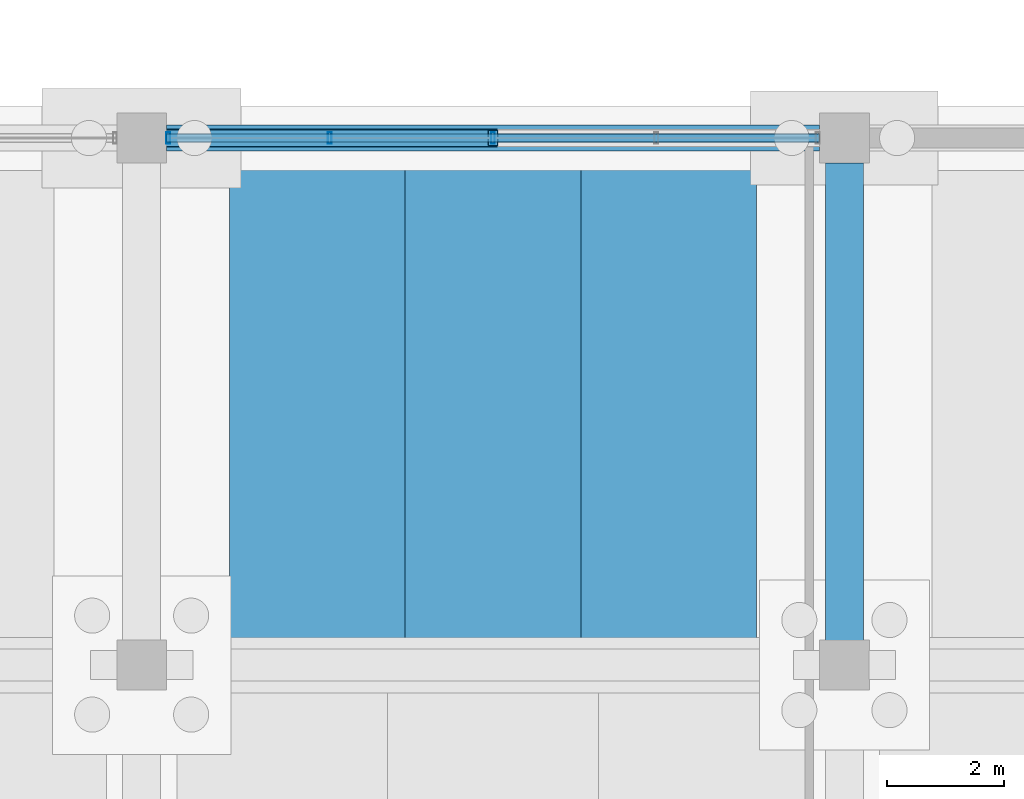
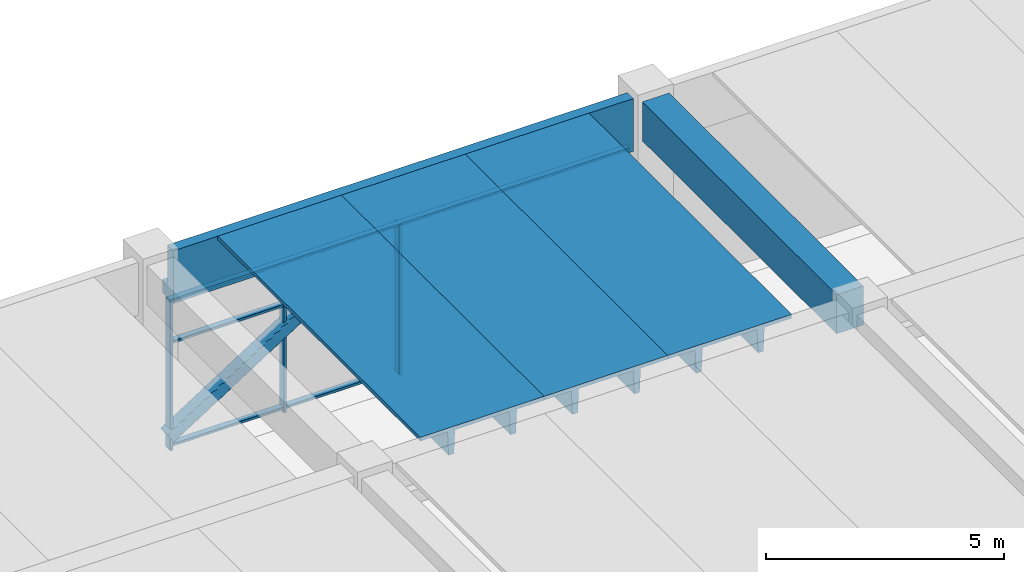
# One storey, part 20 of 59: 7 members, 5 beams, 1 element without a shape of its own.
"""IFC4 building model written with IfcOpenShell, lengths in metres."""

from ifc_helpers import new_model, si_unit, direction, frame, origin, origin_2d, place, context, subcontext, project, spatial, polyline, rectangle, hollow_rectangle, outline, extrude, material, material_profile, profile_set, type_object, element, aggregate, save


model = new_model("IFC4")

# Units and contexts
model_context = context("Model", 3, precision=1e-05, world=origin(), true_north=direction((0.0, 1.0)))
body_context = subcontext(model_context, "Body", "Model", "MODEL_VIEW")
ifc_project = project(units=[si_unit("LENGTHUNIT", "METRE"), si_unit("AREAUNIT", "SQUARE_METRE"), si_unit("VOLUMEUNIT", "CUBIC_METRE"), si_unit("PLANEANGLEUNIT", "RADIAN"), si_unit("MASSUNIT", "GRAM", prefix="KILO")], contexts=[model_context])

# Site, building, storey
site_placement = place(None, origin())
site = spatial("IfcSite", under=ifc_project, at=site_placement, CompositionType="ELEMENT")
building_placement = place(site_placement, origin())
building = spatial("IfcBuilding", under=site, at=building_placement, Name="Girod Span Mobility Hub", CompositionType="ELEMENT")
storey_placement = place(building_placement, origin())
storey = spatial("IfcBuildingStorey", under=building, at=storey_placement, Name="L00", CompositionType="ELEMENT", Elevation=0.0)

# Beams
ifc_material_1 = material(Name="Concrete C50/60", Category="concrete")
ifc_material_profile_1 = material_profile(ifc_material_1, outline(polyline([(-1.5, 0.35009765625), (-1.5, 0.2548828125), (-0.840087890625, 0.2548828125), (-0.81494140625, -0.35009765625), (-0.68505859375, -0.35009765625), (-0.659912109375, 0.2548828125), (0.659912109375, 0.2548828125), (0.68505859375, -0.35009765625), (0.81494140625, -0.35009765625), (0.840087890625, 0.2548828125), (1.5, 0.2548828125), (1.5, 0.35009765625), (-1.5, 0.35009765625)])), Name="DT-3000X700")
ifc_profile_set_1 = profile_set([ifc_material_profile_1], Name="Concrete C50/60")
beam_type_1 = type_object("IfcBeamType", Name="BM-DT-3000X700", PredefinedType="JOIST", material=ifc_profile_set_1)
for number, where, z_axis, x_axis, name in (
    (1, (111.0, 105.27197265625, 4.85009765625), (0.0, 1.0, 0.0), (-1.0, 0.0, 0.0), "Double-Tee Deck 10/H-1 L00"),
    (2, (114.0, 105.27197265625, 4.85009765625), (0.0, 1.0, 0.0), (-1.0, 0.0, 0.0), "Double-Tee Deck 10/H-2 L00"),
    (3, (117.0, 105.27197265625, 4.85009765625), (0.0, 1.0, 0.0), (-1.0, 0.0, 0.0), "Double-Tee Deck 10/H-3 L00"),
):
    element("IfcBeam", number, at=place(storey_placement, frame(where, z_axis=z_axis, x_axis=x_axis)), inside=storey, type_object=beam_type_1, Name=name, PredefinedType="JOIST", context=body_context, shape_type="SweptSolid", body=[
        extrude(outline(polyline([(-1.5, 0.35009765625), (-1.5, 0.2548828125), (-0.840087890625, 0.2548828125), (-0.81494140625, -0.35009765625), (-0.68505859375, -0.35009765625), (-0.659912109375, 0.2548828125), (0.659912109375, 0.2548828125), (0.68505859375, -0.35009765625), (0.81494140625, -0.35009765625), (0.840087890625, 0.2548828125), (1.5, 0.2548828125), (1.5, 0.35009765625), (-1.5, 0.35009765625)])), origin(), (0.0, 0.0, 1.0), 8.506103515625),
    ])
ifc_material_2 = material(Name="Concrete C40/50", Category="concrete")
ifc_material_profile_2 = material_profile(ifc_material_2, outline(polyline([(-0.22509765625, -0.675048828125), (0.22509765625, -0.675048828125), (0.22509765625, -0.324951171875), (0.02490234375, -0.324951171875), (0.02490234375, 0.675048828125), (-0.22509765625, 0.675048828125), (-0.22509765625, -0.675048828125)])), Name="SP-450X1350")
ifc_profile_set_2 = profile_set([ifc_material_profile_2], Name="Concrete C40/50")
beam_type_2 = type_object("IfcBeamType", Name="BM-SP-450X1350", PredefinedType="SPANDREL", material=ifc_profile_set_2)
beam_1_placement = place(storey_placement, frame((108.422119140625, 114.0, 4.52490234375), z_axis=(1.0, 0.0, 0.0), x_axis=(0.0, 1.0, 0.0)))
element("IfcBeam", 4, at=beam_1_placement, inside=storey, type_object=beam_type_2, Name="Girder 10-11/J L00", PredefinedType="SPANDREL", context=body_context, shape_type="SweptSolid", body=[
    extrude(outline(polyline([(-0.22509765625, -0.675048828125), (0.22509765625, -0.675048828125), (0.22509765625, -0.324951171875), (0.02490234375, -0.324951171875), (0.02490234375, 0.675048828125), (-0.22509765625, 0.675048828125), (-0.22509765625, -0.675048828125)])), origin(), (0.0, 0.0, 1.0), 11.15576171875),
])
ifc_material_3 = material(Name="Concrete C40/50", Category="concrete")
ifc_material_profile_3 = material_profile(ifc_material_3, rectangle(XDim=0.64990234375, YDim=1.0, at=origin_2d()), Name="TG-650X1000")
ifc_profile_set_3 = profile_set([ifc_material_profile_3], Name="Concrete C40/50")
beam_type_3 = type_object("IfcBeamType", Name="BM-TG-650X1000", PredefinedType="T_BEAM", material=ifc_profile_set_3)
beam_2_placement = place(storey_placement, frame((120.0, 105.422119140625, 4.699951171875), z_axis=(0.0, 1.0, 0.0), x_axis=(-1.0, 0.0, 0.0)))
element("IfcBeam", 5, at=beam_2_placement, inside=storey, type_object=beam_type_3, Name="Tie Girder 11/H-J L00", PredefinedType="T_BEAM", context=body_context, shape_type="SweptSolid", body=[
    extrude(rectangle(XDim=0.64990234375, YDim=1.0, at=origin_2d()), origin(), (0.0, 0.0, 1.0), 8.15576171875),
])

# Curtain wall, members
ifc_material_4 = material(Name="Thermally Broken Anodised Aluminium", Category="aluminium")
curtain_wall_type = type_object("IfcCurtainWallType", Name="CW-1115X385", PredefinedType="USERDEFINED", material=ifc_material_4)
curtain_wall_placement = place(storey_placement, origin())
curtain_wall = element("IfcCurtainWall", 6, at=curtain_wall_placement, inside=storey, type_object=curtain_wall_type, Name="Concourse Storefront CW-L00-N10 L00", ObjectType="CONCOURSE STOREFRONT", PredefinedType="USERDEFINED")
ifc_material_5 = material(Name="Thermally Broken Anodised Aluminium", Category="aluminium")
ifc_material_profile_4 = material_profile(ifc_material_5, hollow_rectangle(XDim=0.199951171875, YDim=0.06494140625, WallThickness=0.00390625, InnerFilletRadius=0.00390625, OuterFilletRadius=0.008056640625, at=origin_2d()), Name="CW-ML-65X200")
ifc_profile_set_4 = profile_set([ifc_material_profile_4], Name="Thermally Broken Anodised Aluminium")
member_type_1 = type_object("IfcMemberType", Name="CWM-ML-1", PredefinedType="MULLION", material=ifc_profile_set_4)
member_1_placement = place(storey_placement, frame((108.455078125, 114.0, 0.0), z_axis=(0.0, 0.0, 1.0), x_axis=(0.0, 1.0, 0.0)))
member_1 = element("IfcMember", 7, at=member_1_placement, type_object=member_type_1, Name="Curtain Wall Mullion CW-L00-N10-M0", PredefinedType="MULLION", context=body_context, shape_type="SweptSolid", body=[
    extrude(hollow_rectangle(XDim=0.199951171875, YDim=0.06494140625, WallThickness=0.00390625, InnerFilletRadius=0.00390625, OuterFilletRadius=0.008056640625, at=origin_2d()), origin(), (0.0, 0.0, 1.0), 3.85009765625),
])
member_2_placement = place(storey_placement, frame((111.21142578125, 114.0, 0.0), z_axis=(0.0, 0.0, 1.0), x_axis=(0.0, 1.0, 0.0)))
member_2 = element("IfcMember", 8, at=member_2_placement, type_object=member_type_1, Name="Curtain Wall Mullion CW-L00-N10-M1", PredefinedType="MULLION", context=body_context, shape_type="SweptSolid", body=[
    extrude(hollow_rectangle(XDim=0.199951171875, YDim=0.06494140625, WallThickness=0.00390625, InnerFilletRadius=0.00390625, OuterFilletRadius=0.008056640625, at=origin_2d()), origin(), (0.0, 0.0, 1.0), 3.85009765625),
])
member_3_placement = place(storey_placement, frame((114.0, 114.0, 0.0), z_axis=(0.0, 0.0, 1.0), x_axis=(0.0, 1.0, 0.0)))
member_3 = element("IfcMember", 9, at=member_3_placement, type_object=member_type_1, Name="Curtain Wall Mullion CW-L00-N10-M2", PredefinedType="MULLION", context=body_context, shape_type="SweptSolid", body=[
    extrude(hollow_rectangle(XDim=0.199951171875, YDim=0.06494140625, WallThickness=0.00390625, InnerFilletRadius=0.00390625, OuterFilletRadius=0.008056640625, at=origin_2d()), origin(), (0.0, 0.0, 1.0), 3.85009765625),
])
ifc_material_6 = material(Name="Thermally Broken Anodised Aluminium", Category="aluminium")
ifc_material_profile_5 = material_profile(ifc_material_6, hollow_rectangle(XDim=0.14990234375, YDim=0.06494140625, WallThickness=0.00390625, InnerFilletRadius=0.00390625, OuterFilletRadius=0.008056640625, at=origin_2d()), Name="CW-TR-65X150")
ifc_profile_set_5 = profile_set([ifc_material_profile_5], Name="Thermally Broken Anodised Aluminium")
member_type_2 = type_object("IfcMemberType", Name="CWM-TR-1", PredefinedType="USERDEFINED", material=ifc_profile_set_5)
member_4_placement = place(storey_placement, frame((108.423095703125, 114.0, 0.107421875), z_axis=(1.0, 0.0, 0.0), x_axis=(0.0, 1.0, 0.0)))
member_4 = element("IfcMember", 10, at=member_4_placement, type_object=member_type_2, Name="Curtain Wall Transom CW-L00-N10-T1", ObjectType="TRANSOM", PredefinedType="USERDEFINED", context=body_context, shape_type="SweptSolid", body=[
    extrude(hollow_rectangle(XDim=0.14990234375, YDim=0.06494140625, WallThickness=0.00390625, InnerFilletRadius=0.00390625, OuterFilletRadius=0.008056640625, at=origin_2d()), origin(), (0.0, 0.0, 1.0), 11.15380859375),
])
member_5_placement = place(storey_placement, frame((108.423095703125, 114.0, 2.739501953125), z_axis=(1.0, 0.0, 0.0), x_axis=(0.0, 1.0, 0.0)))
member_5 = element("IfcMember", 11, at=member_5_placement, type_object=member_type_2, Name="Curtain Wall Transom CW-L00-N10-T2", ObjectType="TRANSOM", PredefinedType="USERDEFINED", context=body_context, shape_type="SweptSolid", body=[
    extrude(hollow_rectangle(XDim=0.14990234375, YDim=0.06494140625, WallThickness=0.00390625, InnerFilletRadius=0.00390625, OuterFilletRadius=0.008056640625, at=origin_2d()), origin(), (0.0, 0.0, 1.0), 11.15380859375),
])
member_6_placement = place(storey_placement, frame((108.423095703125, 114.0, 3.8173828125), z_axis=(1.0, 0.0, 0.0), x_axis=(0.0, 1.0, 0.0)))
member_6 = element("IfcMember", 12, at=member_6_placement, type_object=member_type_2, Name="Curtain Wall Transom CW-L00-N10-T3", ObjectType="TRANSOM", PredefinedType="USERDEFINED", context=body_context, shape_type="SweptSolid", body=[
    extrude(hollow_rectangle(XDim=0.14990234375, YDim=0.06494140625, WallThickness=0.00390625, InnerFilletRadius=0.00390625, OuterFilletRadius=0.008056640625, at=origin_2d()), origin(), (0.0, 0.0, 1.0), 11.15380859375),
])
aggregate(curtain_wall, [member_1, member_2, member_3, member_4, member_5, member_6])

# Member
ifc_material_7 = material(Name="Steel HSS A500 Grade C", Category="steel")
ifc_material_profile_6 = material_profile(ifc_material_7, hollow_rectangle(XDim=0.304931640625, YDim=0.304931640625, WallThickness=0.014892578125, InnerFilletRadius=0.014892578125, OuterFilletRadius=0.029541015625, at=origin_2d()), Name="HSS305X305X16")
ifc_profile_set_6 = profile_set([ifc_material_profile_6], Name="Steel HSS A500 Grade C")
member_type_3 = type_object("IfcMemberType", Name="MB-BR-HSS305", PredefinedType="BRACE", material=ifc_profile_set_6)
member_7_placement = place(storey_placement, frame((108.405029296875, 114.0, 0.35009765625), z_axis=(0.842336145138, 0.0, 0.538952519796), x_axis=(0.0, 1.0, 0.0)))
element("IfcMember", 13, at=member_7_placement, inside=storey, type_object=member_type_3, Name="Perimeter Chevron Brace 10/J-L L00", PredefinedType="BRACE", context=body_context, shape_type="SweptSolid", body=[
    extrude(hollow_rectangle(XDim=0.304931640625, YDim=0.304931640625, WallThickness=0.014892578125, InnerFilletRadius=0.014892578125, OuterFilletRadius=0.029541015625, at=origin_2d()), origin(), (0.0, 0.0, 1.0), 6.64208984375),
])

save(model, "model.ifc")
